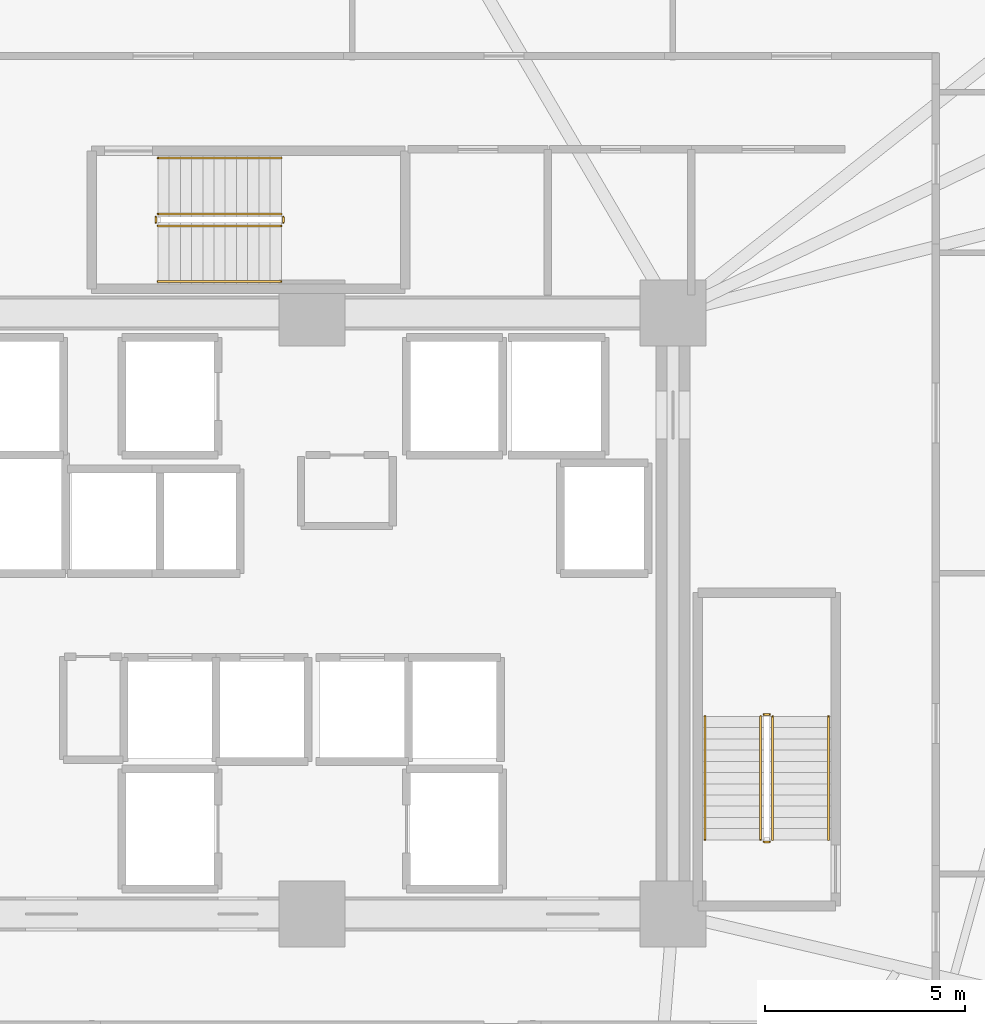
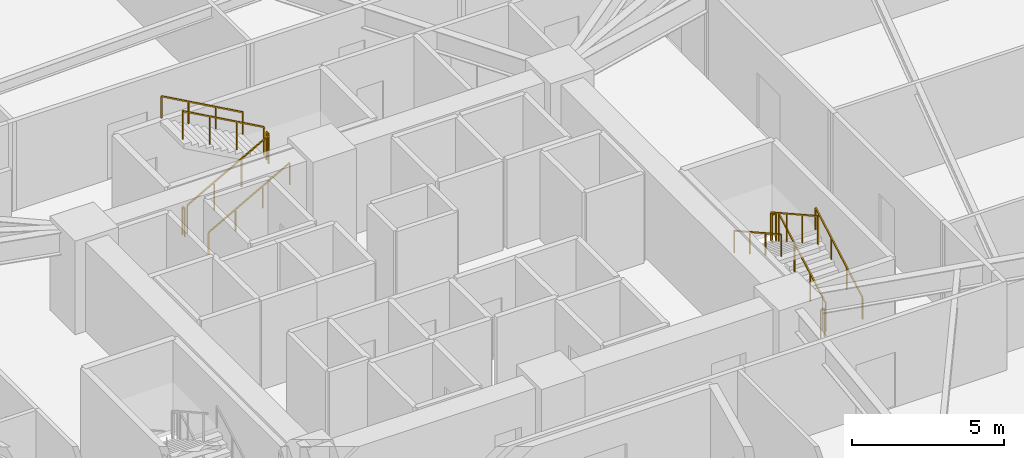
# One storey, part 11 of 11: 12 railings.
"""IFC4 building model written with IfcOpenShell, lengths in metres."""

from ifc_helpers import new_model, si_unit, direction, frame, origin, origin_2d, place, context, subcontext, project, spatial, rectangle, extrude, material, type_object, element, save


model = new_model("IFC4")

# Units and contexts
model_context = context("Model", 3, precision=1e-05, world=origin(), true_north=direction((0.0, 1.0)))
body_context = subcontext(model_context, "Body", "Model", "MODEL_VIEW")
ifc_project = project(units=[si_unit("LENGTHUNIT", "METRE"), si_unit("AREAUNIT", "SQUARE_METRE"), si_unit("VOLUMEUNIT", "CUBIC_METRE"), si_unit("PLANEANGLEUNIT", "RADIAN"), si_unit("MASSUNIT", "GRAM", prefix="KILO")], contexts=[model_context])

# Site, building, storey
site_placement = place(None, origin())
site = spatial("IfcSite", under=ifc_project, at=site_placement, CompositionType="ELEMENT")
building_placement = place(site_placement, origin())
building = spatial("IfcBuilding", under=site, at=building_placement, Name="Liaohun Quay Tower", CompositionType="ELEMENT")
storey_placement = place(building_placement, frame((0.0, 0.0, 51.75)))
storey = spatial("IfcBuildingStorey", under=building, at=storey_placement, Name="L13", CompositionType="ELEMENT", Elevation=51.75)

# Railings
ifc_material_1 = material(Name="Painted tubular steel", Category="steel")
railing_type_1 = type_object("IfcRailingType", Name="RLG-GUARD-STR", PredefinedType="GUARDRAIL", material=ifc_material_1)
railing_1_placement = place(storey_placement, frame((71.489990234375, 48.35009765625, 0.15625)))
element("IfcRailing", 1, at=railing_1_placement, inside=storey, type_object=railing_type_1, Name="L13 ST-2 stair guard 1", PredefinedType="GUARDRAIL", context=body_context, shape_type="SweptSolid", body=[
    extrude(rectangle(XDim=0.048095703125, YDim=0.048095703125, at=origin_2d()), frame((0.0, 0.0, 1.1259765625), z_axis=(0.0, 0.873225103656, 0.487317061414), x_axis=(-1.0, 0.0, 0.0)), (0.0, 0.0, 1.0), 3.52685546875),
    extrude(rectangle(XDim=0.0419921875, YDim=0.0419921875, at=origin_2d()), origin(), (0.0, 0.0, 1.0), 1.101806640625),
    extrude(rectangle(XDim=0.0419921875, YDim=0.0419921875, at=origin_2d()), frame((0.0, 1.026611328125, 0.572998046875)), (0.0, 0.0, 1.0), 1.101806640625),
    extrude(rectangle(XDim=0.0419921875, YDim=0.0419921875, at=origin_2d()), frame((0.0, 2.05322265625, 1.145751953125)), (0.0, 0.0, 1.0), 1.101806640625),
    extrude(rectangle(XDim=0.0419921875, YDim=0.0419921875, at=origin_2d()), frame((0.0, 3.079833984375, 1.71875)), (0.0, 0.0, 1.0), 1.101806640625),
])
railing_2_placement = place(storey_placement, frame((71.409912109375, 51.47998046875, 1.875)))
element("IfcRailing", 2, at=railing_2_placement, inside=storey, type_object=railing_type_1, Name="L13 ST-2 stair guard 2", PredefinedType="GUARDRAIL", context=body_context, shape_type="SweptSolid", body=[
    extrude(rectangle(XDim=0.048095703125, YDim=0.048095703125, at=origin_2d()), frame((0.0, 0.0, 1.1259765625), z_axis=(-1.0, 0.0, 0.0), x_axis=(0.0, -1.0, 0.0)), (0.0, 0.0, 1.0), 0.139892578125),
    extrude(rectangle(XDim=0.0419921875, YDim=0.0419921875, at=origin_2d()), origin(), (0.0, 0.0, 1.0), 1.101806640625),
    extrude(rectangle(XDim=0.0419921875, YDim=0.0419921875, at=origin_2d()), frame((-0.139892578125, 0.0, 0.0)), (0.0, 0.0, 1.0), 1.101806640625),
])
railing_3_placement = place(storey_placement, frame((71.18994140625, 51.429931640625, 2.03125)))
element("IfcRailing", 3, at=railing_3_placement, inside=storey, type_object=railing_type_1, Name="L13 ST-2 stair guard 3", PredefinedType="GUARDRAIL", context=body_context, shape_type="SweptSolid", body=[
    extrude(rectangle(XDim=0.048095703125, YDim=0.048095703125, at=origin_2d()), frame((0.0, 0.0, 1.1259765625), z_axis=(0.0, -0.873225103656, 0.487317061414), x_axis=(1.0, 0.0, 0.0)), (0.0, 0.0, 1.0), 3.52685546875),
    extrude(rectangle(XDim=0.0419921875, YDim=0.0419921875, at=origin_2d()), origin(), (0.0, 0.0, 1.0), 1.101806640625),
    extrude(rectangle(XDim=0.0419921875, YDim=0.0419921875, at=origin_2d()), frame((0.0, -1.026611328125, 0.572998046875)), (0.0, 0.0, 1.0), 1.101806640625),
    extrude(rectangle(XDim=0.0419921875, YDim=0.0419921875, at=origin_2d()), frame((0.0, -2.05322265625, 1.145751953125)), (0.0, 0.0, 1.0), 1.101806640625),
    extrude(rectangle(XDim=0.0419921875, YDim=0.0419921875, at=origin_2d()), frame((0.0, -3.079833984375, 1.71875)), (0.0, 0.0, 1.0), 1.101806640625),
])
railing_4_placement = place(storey_placement, frame((71.409912109375, 48.300048828125, 0.0)))
element("IfcRailing", 4, at=railing_4_placement, inside=storey, type_object=railing_type_1, Name="L13 ST-2 stair guard 4", PredefinedType="GUARDRAIL", context=body_context, shape_type="SweptSolid", body=[
    extrude(rectangle(XDim=0.048095703125, YDim=0.048095703125, at=origin_2d()), frame((0.0, 0.0, 1.1259765625), z_axis=(-1.0, 0.0, 0.0), x_axis=(0.0, -1.0, 0.0)), (0.0, 0.0, 1.0), 0.139892578125),
    extrude(rectangle(XDim=0.0419921875, YDim=0.0419921875, at=origin_2d()), origin(), (0.0, 0.0, 1.0), 1.101806640625),
    extrude(rectangle(XDim=0.0419921875, YDim=0.0419921875, at=origin_2d()), frame((-0.139892578125, 0.0, 0.0)), (0.0, 0.0, 1.0), 1.101806640625),
])
railing_5_placement = place(storey_placement, frame((56.14990234375, 63.669921875, 0.15625)))
element("IfcRailing", 5, at=railing_5_placement, inside=storey, type_object=railing_type_1, Name="L13 ST-3 stair guard 1", PredefinedType="GUARDRAIL", context=body_context, shape_type="SweptSolid", body=[
    extrude(rectangle(XDim=0.048095703125, YDim=0.048095703125, at=origin_2d()), frame((0.0, 0.0, 1.1259765625), z_axis=(0.873241540666, 0.0, 0.487287606713), x_axis=(0.0, 1.0, 0.0)), (0.0, 0.0, 1.0), 3.527099609375),
    extrude(rectangle(XDim=0.0419921875, YDim=0.0419921875, at=origin_2d()), origin(), (0.0, 0.0, 1.0), 1.101806640625),
    extrude(rectangle(XDim=0.0419921875, YDim=0.0419921875, at=origin_2d()), frame((1.026611328125, 0.0, 0.572998046875)), (0.0, 0.0, 1.0), 1.101806640625),
    extrude(rectangle(XDim=0.0419921875, YDim=0.0419921875, at=origin_2d()), frame((2.053466796875, 0.0, 1.145751953125)), (0.0, 0.0, 1.0), 1.101806640625),
    extrude(rectangle(XDim=0.0419921875, YDim=0.0419921875, at=origin_2d()), frame((3.080078125, 0.0, 1.71875)), (0.0, 0.0, 1.0), 1.101806640625),
])
railing_6_placement = place(storey_placement, frame((59.280029296875, 63.75, 1.875)))
element("IfcRailing", 6, at=railing_6_placement, inside=storey, type_object=railing_type_1, Name="L13 ST-3 stair guard 2", PredefinedType="GUARDRAIL", context=body_context, shape_type="SweptSolid", body=[
    extrude(rectangle(XDim=0.048095703125, YDim=0.048095703125, at=origin_2d()), frame((0.0, 0.0, 1.1259765625), z_axis=(0.0, 1.0, 0.0), x_axis=(-1.0, 0.0, 0.0)), (0.0, 0.0, 1.0), 0.139892578125),
    extrude(rectangle(XDim=0.0419921875, YDim=0.0419921875, at=origin_2d()), origin(), (0.0, 0.0, 1.0), 1.101806640625),
    extrude(rectangle(XDim=0.0419921875, YDim=0.0419921875, at=origin_2d()), frame((0.0, 0.139892578125, 0.0)), (0.0, 0.0, 1.0), 1.101806640625),
])
railing_7_placement = place(storey_placement, frame((59.22998046875, 63.969970703125, 2.03125)))
element("IfcRailing", 7, at=railing_7_placement, inside=storey, type_object=railing_type_1, Name="L13 ST-3 stair guard 3", PredefinedType="GUARDRAIL", context=body_context, shape_type="SweptSolid", body=[
    extrude(rectangle(XDim=0.048095703125, YDim=0.048095703125, at=origin_2d()), frame((0.0, 0.0, 1.1259765625), z_axis=(-0.873241540666, 0.0, 0.487287606713), x_axis=(0.0, -1.0, 0.0)), (0.0, 0.0, 1.0), 3.527099609375),
    extrude(rectangle(XDim=0.0419921875, YDim=0.0419921875, at=origin_2d()), origin(), (0.0, 0.0, 1.0), 1.101806640625),
    extrude(rectangle(XDim=0.0419921875, YDim=0.0419921875, at=origin_2d()), frame((-1.026611328125, 0.0, 0.572998046875)), (0.0, 0.0, 1.0), 1.101806640625),
    extrude(rectangle(XDim=0.0419921875, YDim=0.0419921875, at=origin_2d()), frame((-2.053466796875, 0.0, 1.145751953125)), (0.0, 0.0, 1.0), 1.101806640625),
    extrude(rectangle(XDim=0.0419921875, YDim=0.0419921875, at=origin_2d()), frame((-3.080078125, 0.0, 1.71875)), (0.0, 0.0, 1.0), 1.101806640625),
])
railing_8_placement = place(storey_placement, frame((56.10009765625, 63.75, 0.0)))
element("IfcRailing", 8, at=railing_8_placement, inside=storey, type_object=railing_type_1, Name="L13 ST-3 stair guard 4", PredefinedType="GUARDRAIL", context=body_context, shape_type="SweptSolid", body=[
    extrude(rectangle(XDim=0.048095703125, YDim=0.048095703125, at=origin_2d()), frame((0.0, 0.0, 1.1259765625), z_axis=(0.0, 1.0, 0.0), x_axis=(-1.0, 0.0, 0.0)), (0.0, 0.0, 1.0), 0.139892578125),
    extrude(rectangle(XDim=0.0419921875, YDim=0.0419921875, at=origin_2d()), origin(), (0.0, 0.0, 1.0), 1.101806640625),
    extrude(rectangle(XDim=0.0419921875, YDim=0.0419921875, at=origin_2d()), frame((0.0, 0.139892578125, 0.0)), (0.0, 0.0, 1.0), 1.101806640625),
])
ifc_material_2 = material(Name="Brushed stainless steel", Category="steel")
railing_type_2 = type_object("IfcRailingType", Name="RLG-HND-STR", PredefinedType="HANDRAIL", material=ifc_material_2)
railing_9_placement = place(storey_placement, frame((72.8798828125, 48.35009765625, 0.15625)))
element("IfcRailing", 9, at=railing_9_placement, inside=storey, type_object=railing_type_2, Name="L13 ST-2 stair handrail 1", PredefinedType="HANDRAIL", context=body_context, shape_type="SweptSolid", body=[
    extrude(rectangle(XDim=0.048095703125, YDim=0.048095703125, at=origin_2d()), frame((0.0, 0.0, 0.8759765625), z_axis=(0.0, 0.873225103656, 0.487317061414), x_axis=(-1.0, 0.0, 0.0)), (0.0, 0.0, 1.0), 3.52685546875),
    extrude(rectangle(XDim=0.0419921875, YDim=0.0419921875, at=origin_2d()), origin(), (0.0, 0.0, 1.0), 0.851806640625),
    extrude(rectangle(XDim=0.0419921875, YDim=0.0419921875, at=origin_2d()), frame((0.0, 1.026611328125, 0.572998046875)), (0.0, 0.0, 1.0), 0.851806640625),
    extrude(rectangle(XDim=0.0419921875, YDim=0.0419921875, at=origin_2d()), frame((0.0, 2.05322265625, 1.145751953125)), (0.0, 0.0, 1.0), 0.851806640625),
    extrude(rectangle(XDim=0.0419921875, YDim=0.0419921875, at=origin_2d()), frame((0.0, 3.079833984375, 1.71875)), (0.0, 0.0, 1.0), 0.851806640625),
])
railing_10_placement = place(storey_placement, frame((69.800048828125, 51.429931640625, 2.03125)))
element("IfcRailing", 10, at=railing_10_placement, inside=storey, type_object=railing_type_2, Name="L13 ST-2 stair handrail 2", PredefinedType="HANDRAIL", context=body_context, shape_type="SweptSolid", body=[
    extrude(rectangle(XDim=0.048095703125, YDim=0.048095703125, at=origin_2d()), frame((0.0, 0.0, 0.8759765625), z_axis=(0.0, -0.873225103656, 0.487317061414), x_axis=(1.0, 0.0, 0.0)), (0.0, 0.0, 1.0), 3.52685546875),
    extrude(rectangle(XDim=0.0419921875, YDim=0.0419921875, at=origin_2d()), origin(), (0.0, 0.0, 1.0), 0.851806640625),
    extrude(rectangle(XDim=0.0419921875, YDim=0.0419921875, at=origin_2d()), frame((0.0, -1.026611328125, 0.572998046875)), (0.0, 0.0, 1.0), 0.851806640625),
    extrude(rectangle(XDim=0.0419921875, YDim=0.0419921875, at=origin_2d()), frame((0.0, -2.05322265625, 1.145751953125)), (0.0, 0.0, 1.0), 0.851806640625),
    extrude(rectangle(XDim=0.0419921875, YDim=0.0419921875, at=origin_2d()), frame((0.0, -3.079833984375, 1.71875)), (0.0, 0.0, 1.0), 0.851806640625),
])
railing_11_placement = place(storey_placement, frame((56.14990234375, 62.280029296875, 0.15625)))
element("IfcRailing", 11, at=railing_11_placement, inside=storey, type_object=railing_type_2, Name="L13 ST-3 stair handrail 1", PredefinedType="HANDRAIL", context=body_context, shape_type="SweptSolid", body=[
    extrude(rectangle(XDim=0.048095703125, YDim=0.048095703125, at=origin_2d()), frame((0.0, 0.0, 0.8759765625), z_axis=(0.873241540666, 0.0, 0.487287606713), x_axis=(0.0, 1.0, 0.0)), (0.0, 0.0, 1.0), 3.527099609375),
    extrude(rectangle(XDim=0.0419921875, YDim=0.0419921875, at=origin_2d()), origin(), (0.0, 0.0, 1.0), 0.851806640625),
    extrude(rectangle(XDim=0.0419921875, YDim=0.0419921875, at=origin_2d()), frame((1.026611328125, 0.0, 0.572998046875)), (0.0, 0.0, 1.0), 0.851806640625),
    extrude(rectangle(XDim=0.0419921875, YDim=0.0419921875, at=origin_2d()), frame((2.053466796875, 0.0, 1.145751953125)), (0.0, 0.0, 1.0), 0.851806640625),
    extrude(rectangle(XDim=0.0419921875, YDim=0.0419921875, at=origin_2d()), frame((3.080078125, 0.0, 1.71875)), (0.0, 0.0, 1.0), 0.851806640625),
])
railing_12_placement = place(storey_placement, frame((59.22998046875, 65.360107421875, 2.03125)))
element("IfcRailing", 12, at=railing_12_placement, inside=storey, type_object=railing_type_2, Name="L13 ST-3 stair handrail 2", PredefinedType="HANDRAIL", context=body_context, shape_type="SweptSolid", body=[
    extrude(rectangle(XDim=0.048095703125, YDim=0.048095703125, at=origin_2d()), frame((0.0, 0.0, 0.8759765625), z_axis=(-0.873241540666, 0.0, 0.487287606713), x_axis=(0.0, -1.0, 0.0)), (0.0, 0.0, 1.0), 3.527099609375),
    extrude(rectangle(XDim=0.0419921875, YDim=0.0419921875, at=origin_2d()), origin(), (0.0, 0.0, 1.0), 0.851806640625),
    extrude(rectangle(XDim=0.0419921875, YDim=0.0419921875, at=origin_2d()), frame((-1.026611328125, 0.0, 0.572998046875)), (0.0, 0.0, 1.0), 0.851806640625),
    extrude(rectangle(XDim=0.0419921875, YDim=0.0419921875, at=origin_2d()), frame((-2.053466796875, 0.0, 1.145751953125)), (0.0, 0.0, 1.0), 0.851806640625),
    extrude(rectangle(XDim=0.0419921875, YDim=0.0419921875, at=origin_2d()), frame((-3.080078125, 0.0, 1.71875)), (0.0, 0.0, 1.0), 0.851806640625),
])

save(model, "model.ifc")
